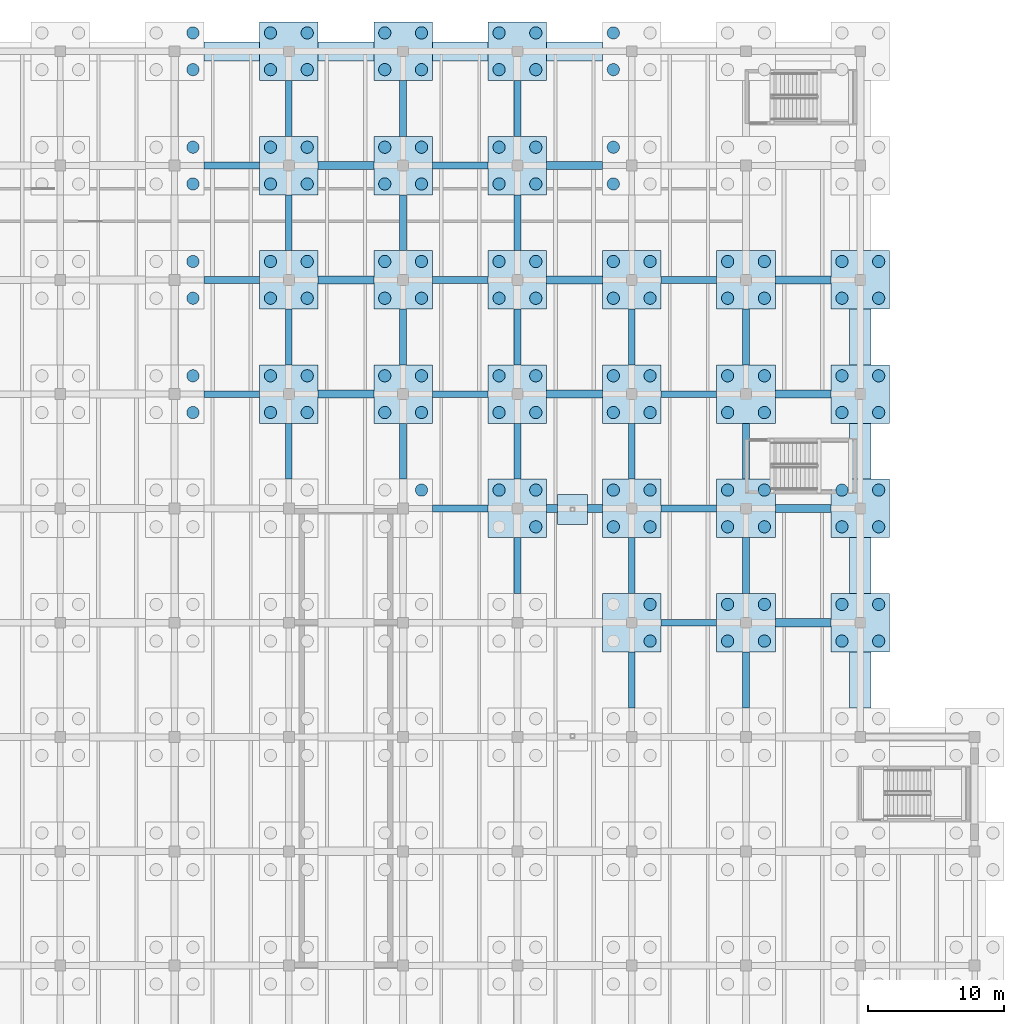
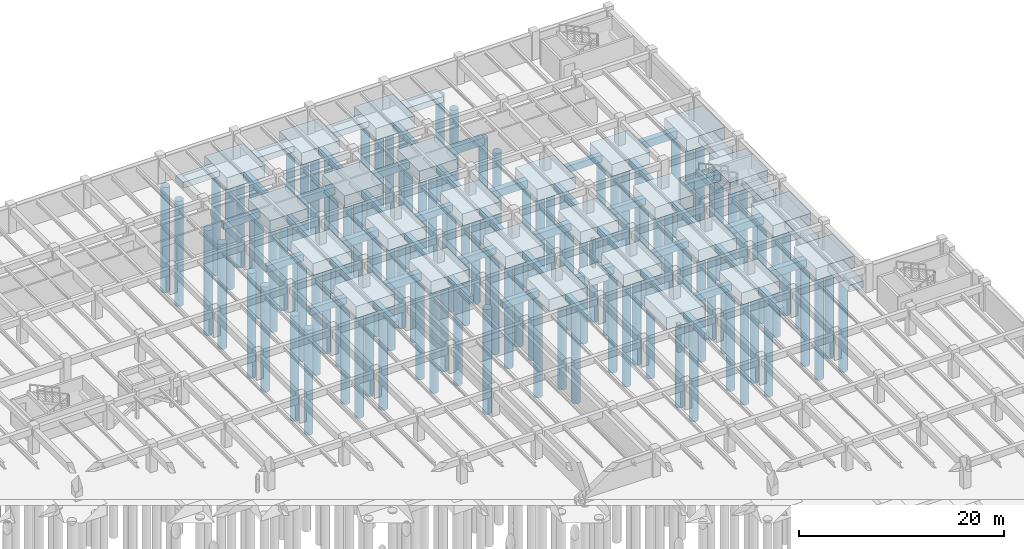
# One storey, part 12 of 70: 110 piles, 78 footings.
"""IFC4 building model written with IfcOpenShell, lengths in metres."""

from ifc_helpers import new_model, si_unit, direction, frame, origin, origin_2d, place, context, subcontext, project, spatial, rectangle, circle, extrude, material, material_profile, profile_set, type_object, element, save


model = new_model("IFC4")

# Units and contexts
model_context = context("Model", 3, precision=1e-05, world=origin(), true_north=direction((0.0, 1.0)))
body_context = subcontext(model_context, "Body", "Model", "MODEL_VIEW")
ifc_project = project(units=[si_unit("LENGTHUNIT", "METRE"), si_unit("AREAUNIT", "SQUARE_METRE"), si_unit("VOLUMEUNIT", "CUBIC_METRE"), si_unit("PLANEANGLEUNIT", "RADIAN"), si_unit("MASSUNIT", "GRAM", prefix="KILO")], contexts=[model_context])

# Site, building, storey
site_placement = place(None, origin())
site = spatial("IfcSite", under=ifc_project, at=site_placement, CompositionType="ELEMENT")
building_placement = place(site_placement, origin())
building = spatial("IfcBuilding", under=site, at=building_placement, Name="Cumbredor Promenade Congress Hotel", CompositionType="ELEMENT")
storey_placement = place(building_placement, frame((0.0, 0.0, -7.56005859375)))
storey = spatial("IfcBuildingStorey", under=building, at=storey_placement, Name="B02", CompositionType="ELEMENT", Elevation=-7.56005859375)

# Piles
ifc_material = material(Name="Concrete C40/50", Category="concrete")
ifc_material_profile_1 = material_profile(ifc_material, circle(Radius=0.449951171875, at=origin_2d()), Name="PILE D900")
ifc_profile_set_1 = profile_set([ifc_material_profile_1], Name="Concrete C40/50")
pile_type = type_object("IfcPileType", Name="Bored Concrete Pile BP-02 900mm", PredefinedType="BORED", material=ifc_profile_set_1)
for number, where, z_axis, x_axis, name in (
    (1, (127.35009765625, 91.050048828125, -1.75), (0.0, 0.0, -1.0), (1.0, 0.0, 0.0), "Bored Pile PC-02-208.2"),
    (2, (127.35009765625, 93.75, -1.75), (0.0, 0.0, -1.0), (1.0, 0.0, 0.0), "Bored Pile PC-02-208.4"),
    (3, (127.35009765625, 99.449951171875, -1.75), (0.0, 0.0, -1.0), (1.0, 0.0, 0.0), "Bored Pile PC-02-209.2"),
    (4, (127.35009765625, 102.14990234375, -1.75), (0.0, 0.0, -1.0), (1.0, 0.0, 0.0), "Bored Pile PC-02-209.4"),
    (5, (127.35009765625, 107.85009765625, -1.75), (0.0, 0.0, -1.0), (1.0, 0.0, 0.0), "Bored Pile PC-02-210.2"),
    (6, (127.35009765625, 110.550048828125, -1.75), (0.0, 0.0, -1.0), (1.0, 0.0, 0.0), "Bored Pile PC-02-210.4"),
    (7, (127.35009765625, 116.25, -1.75), (0.0, 0.0, -1.0), (1.0, 0.0, 0.0), "Bored Pile PC-02-211.2"),
    (8, (127.35009765625, 118.949951171875, -1.75), (0.0, 0.0, -1.0), (1.0, 0.0, 0.0), "Bored Pile PC-02-211.4"),
    (9, (133.050048828125, 91.050048828125, -1.75), (0.0, 0.0, -1.0), (1.0, 0.0, 0.0), "Bored Pile PC-02-222.1"),
    (10, (135.75, 91.050048828125, -1.75), (0.0, 0.0, -1.0), (1.0, 0.0, 0.0), "Bored Pile PC-02-222.2"),
    (11, (133.050048828125, 93.75, -1.75), (0.0, 0.0, -1.0), (1.0, 0.0, 0.0), "Bored Pile PC-02-222.3"),
    (12, (135.75, 93.75, -1.75), (0.0, 0.0, -1.0), (1.0, 0.0, 0.0), "Bored Pile PC-02-222.4"),
    (13, (133.050048828125, 99.449951171875, -1.75), (0.0, 0.0, -1.0), (1.0, 0.0, 0.0), "Bored Pile PC-02-223.1"),
    (14, (135.75, 99.449951171875, -1.75), (0.0, 0.0, -1.0), (1.0, 0.0, 0.0), "Bored Pile PC-02-223.2"),
    (15, (133.050048828125, 102.14990234375, -1.75), (0.0, 0.0, -1.0), (1.0, 0.0, 0.0), "Bored Pile PC-02-223.3"),
    (16, (135.75, 102.14990234375, -1.75), (0.0, 0.0, -1.0), (1.0, 0.0, 0.0), "Bored Pile PC-02-223.4"),
    (17, (133.050048828125, 107.85009765625, -1.75), (0.0, 0.0, -1.0), (1.0, 0.0, 0.0), "Bored Pile PC-02-224.1"),
    (18, (135.75, 107.85009765625, -1.75), (0.0, 0.0, -1.0), (1.0, 0.0, 0.0), "Bored Pile PC-02-224.2"),
    (19, (133.050048828125, 110.550048828125, -1.75), (0.0, 0.0, -1.0), (1.0, 0.0, 0.0), "Bored Pile PC-02-224.3"),
    (20, (135.75, 110.550048828125, -1.75), (0.0, 0.0, -1.0), (1.0, 0.0, 0.0), "Bored Pile PC-02-224.4"),
    (21, (133.050048828125, 116.25, -1.75), (0.0, 0.0, -1.0), (1.0, 0.0, 0.0), "Bored Pile PC-02-225.1"),
    (22, (135.75, 116.25, -1.75), (0.0, 0.0, -1.0), (1.0, 0.0, 0.0), "Bored Pile PC-02-225.2"),
    (23, (133.050048828125, 118.949951171875, -1.75), (0.0, 0.0, -1.0), (1.0, 0.0, 0.0), "Bored Pile PC-02-225.3"),
    (24, (135.75, 118.949951171875, -1.75), (0.0, 0.0, -1.0), (1.0, 0.0, 0.0), "Bored Pile PC-02-225.4"),
    (25, (144.14990234375, 85.35009765625, -1.75), (0.0, 0.0, -1.0), (1.0, 0.0, 0.0), "Bored Pile PC-02-235.4"),
    (26, (141.449951171875, 91.050048828125, -1.75), (0.0, 0.0, -1.0), (1.0, 0.0, 0.0), "Bored Pile PC-02-236.1"),
    (27, (144.14990234375, 91.050048828125, -1.75), (0.0, 0.0, -1.0), (1.0, 0.0, 0.0), "Bored Pile PC-02-236.2"),
    (28, (141.449951171875, 93.75, -1.75), (0.0, 0.0, -1.0), (1.0, 0.0, 0.0), "Bored Pile PC-02-236.3"),
    (29, (144.14990234375, 93.75, -1.75), (0.0, 0.0, -1.0), (1.0, 0.0, 0.0), "Bored Pile PC-02-236.4"),
    (30, (141.449951171875, 99.449951171875, -1.75), (0.0, 0.0, -1.0), (1.0, 0.0, 0.0), "Bored Pile PC-02-237.1"),
    (31, (144.14990234375, 99.449951171875, -1.75), (0.0, 0.0, -1.0), (1.0, 0.0, 0.0), "Bored Pile PC-02-237.2"),
    (32, (141.449951171875, 102.14990234375, -1.75), (0.0, 0.0, -1.0), (1.0, 0.0, 0.0), "Bored Pile PC-02-237.3"),
    (33, (144.14990234375, 102.14990234375, -1.75), (0.0, 0.0, -1.0), (1.0, 0.0, 0.0), "Bored Pile PC-02-237.4"),
    (34, (141.449951171875, 107.85009765625, -1.75), (0.0, 0.0, -1.0), (1.0, 0.0, 0.0), "Bored Pile PC-02-238.1"),
    (35, (144.14990234375, 107.85009765625, -1.75), (0.0, 0.0, -1.0), (1.0, 0.0, 0.0), "Bored Pile PC-02-238.2"),
    (36, (141.449951171875, 110.550048828125, -1.75), (0.0, 0.0, -1.0), (1.0, 0.0, 0.0), "Bored Pile PC-02-238.3"),
    (37, (144.14990234375, 110.550048828125, -1.75), (0.0, 0.0, -1.0), (1.0, 0.0, 0.0), "Bored Pile PC-02-238.4"),
    (38, (141.449951171875, 116.25, -1.75), (0.0, 0.0, -1.0), (1.0, 0.0, 0.0), "Bored Pile PC-02-239.1"),
    (39, (144.14990234375, 116.25, -1.75), (0.0, 0.0, -1.0), (1.0, 0.0, 0.0), "Bored Pile PC-02-239.2"),
    (40, (141.449951171875, 118.949951171875, -1.75), (0.0, 0.0, -1.0), (1.0, 0.0, 0.0), "Bored Pile PC-02-239.3"),
    (41, (144.14990234375, 118.949951171875, -1.75), (0.0, 0.0, -1.0), (1.0, 0.0, 0.0), "Bored Pile PC-02-239.4"),
    (42, (152.550048828125, 82.64990234375, -1.75), (0.0, 0.0, -1.0), (1.0, 0.0, 0.0), "Bored Pile PC-02-249.2"),
    (43, (149.85009765625, 85.35009765625, -1.75), (0.0, 0.0, -1.0), (1.0, 0.0, 0.0), "Bored Pile PC-02-249.3"),
    (44, (152.550048828125, 85.35009765625, -1.75), (0.0, 0.0, -1.0), (1.0, 0.0, 0.0), "Bored Pile PC-02-249.4"),
    (45, (149.85009765625, 91.050048828125, -1.75), (0.0, 0.0, -1.0), (1.0, 0.0, 0.0), "Bored Pile PC-02-250.1"),
    (46, (152.550048828125, 91.050048828125, -1.75), (0.0, 0.0, -1.0), (1.0, 0.0, 0.0), "Bored Pile PC-02-250.2"),
    (47, (149.85009765625, 93.75, -1.75), (0.0, 0.0, -1.0), (1.0, 0.0, 0.0), "Bored Pile PC-02-250.3"),
    (48, (152.550048828125, 93.75, -1.75), (0.0, 0.0, -1.0), (1.0, 0.0, 0.0), "Bored Pile PC-02-250.4"),
    (49, (149.85009765625, 99.449951171875, -1.75), (0.0, 0.0, -1.0), (1.0, 0.0, 0.0), "Bored Pile PC-02-251.1"),
    (50, (152.550048828125, 99.449951171875, -1.75), (0.0, 0.0, -1.0), (1.0, 0.0, 0.0), "Bored Pile PC-02-251.2"),
    (51, (149.85009765625, 102.14990234375, -1.75), (0.0, 0.0, -1.0), (1.0, 0.0, 0.0), "Bored Pile PC-02-251.3"),
    (52, (152.550048828125, 102.14990234375, -1.75), (0.0, 0.0, -1.0), (1.0, 0.0, 0.0), "Bored Pile PC-02-251.4"),
    (53, (149.85009765625, 107.85009765625, -1.75), (0.0, 0.0, -1.0), (1.0, 0.0, 0.0), "Bored Pile PC-02-252.1"),
    (54, (152.550048828125, 107.85009765625, -1.75), (0.0, 0.0, -1.0), (1.0, 0.0, 0.0), "Bored Pile PC-02-252.2"),
    (55, (149.85009765625, 110.550048828125, -1.75), (0.0, 0.0, -1.0), (1.0, 0.0, 0.0), "Bored Pile PC-02-252.3"),
    (56, (152.550048828125, 110.550048828125, -1.75), (0.0, 0.0, -1.0), (1.0, 0.0, 0.0), "Bored Pile PC-02-252.4"),
    (57, (149.85009765625, 116.25, -1.75), (0.0, 0.0, -1.0), (1.0, 0.0, 0.0), "Bored Pile PC-02-253.1"),
    (58, (152.550048828125, 116.25, -1.75), (0.0, 0.0, -1.0), (1.0, 0.0, 0.0), "Bored Pile PC-02-253.2"),
    (59, (149.85009765625, 118.949951171875, -1.75), (0.0, 0.0, -1.0), (1.0, 0.0, 0.0), "Bored Pile PC-02-253.3"),
    (60, (152.550048828125, 118.949951171875, -1.75), (0.0, 0.0, -1.0), (1.0, 0.0, 0.0), "Bored Pile PC-02-253.4"),
    (61, (160.949951171875, 74.25, -1.75), (0.0, 0.0, -1.0), (1.0, 0.0, 0.0), "Bored Pile PC-02-262.2"),
    (62, (160.949951171875, 76.949951171875, -1.75), (0.0, 0.0, -1.0), (1.0, 0.0, 0.0), "Bored Pile PC-02-262.4"),
    (63, (158.25, 82.64990234375, -1.75), (0.0, 0.0, -1.0), (1.0, 0.0, 0.0), "Bored Pile PC-02-263.1"),
    (64, (160.949951171875, 82.64990234375, -1.75), (0.0, 0.0, -1.0), (1.0, 0.0, 0.0), "Bored Pile PC-02-263.2"),
    (65, (158.25, 85.35009765625, -1.75), (0.0, 0.0, -1.0), (1.0, 0.0, 0.0), "Bored Pile PC-02-263.3"),
    (66, (160.949951171875, 85.35009765625, -1.75), (0.0, 0.0, -1.0), (1.0, 0.0, 0.0), "Bored Pile PC-02-263.4"),
    (67, (158.25, 91.050048828125, -1.75), (0.0, 0.0, -1.0), (1.0, 0.0, 0.0), "Bored Pile PC-02-264.1"),
    (68, (160.949951171875, 91.050048828125, -1.75), (0.0, 0.0, -1.0), (1.0, 0.0, 0.0), "Bored Pile PC-02-264.2"),
    (69, (158.25, 93.75, -1.75), (0.0, 0.0, -1.0), (1.0, 0.0, 0.0), "Bored Pile PC-02-264.3"),
    (70, (160.949951171875, 93.75, -1.75), (0.0, 0.0, -1.0), (1.0, 0.0, 0.0), "Bored Pile PC-02-264.4"),
    (71, (158.25, 99.449951171875, -1.75), (0.0, 0.0, -1.0), (1.0, 0.0, 0.0), "Bored Pile PC-02-265.1"),
    (72, (160.949951171875, 99.449951171875, -1.75), (0.0, 0.0, -1.0), (1.0, 0.0, 0.0), "Bored Pile PC-02-265.2"),
    (73, (158.25, 102.14990234375, -1.75), (0.0, 0.0, -1.0), (1.0, 0.0, 0.0), "Bored Pile PC-02-265.3"),
    (74, (160.949951171875, 102.14990234375, -1.75), (0.0, 0.0, -1.0), (1.0, 0.0, 0.0), "Bored Pile PC-02-265.4"),
    (75, (158.25, 107.85009765625, -1.75), (0.0, 0.0, -1.0), (1.0, 0.0, 0.0), "Bored Pile PC-02-266.1"),
    (76, (158.25, 110.550048828125, -1.75), (0.0, 0.0, -1.0), (1.0, 0.0, 0.0), "Bored Pile PC-02-266.3"),
    (77, (158.25, 116.25, -1.75), (0.0, 0.0, -1.0), (1.0, 0.0, 0.0), "Bored Pile PC-02-267.1"),
    (78, (158.25, 118.949951171875, -1.75), (0.0, 0.0, -1.0), (1.0, 0.0, 0.0), "Bored Pile PC-02-267.3"),
    (79, (166.64990234375, 74.25, -1.75), (0.0, 0.0, -1.0), (1.0, 0.0, 0.0), "Bored Pile PC-02-276.1"),
    (80, (169.35009765625, 74.25, -1.75), (0.0, 0.0, -1.0), (1.0, 0.0, 0.0), "Bored Pile PC-02-276.2"),
    (81, (166.64990234375, 76.949951171875, -1.75), (0.0, 0.0, -1.0), (1.0, 0.0, 0.0), "Bored Pile PC-02-276.3"),
    (82, (169.35009765625, 76.949951171875, -1.75), (0.0, 0.0, -1.0), (1.0, 0.0, 0.0), "Bored Pile PC-02-276.4"),
    (83, (166.64990234375, 82.64990234375, -1.75), (0.0, 0.0, -1.0), (1.0, 0.0, 0.0), "Bored Pile PC-02-277.1"),
    (84, (169.35009765625, 82.64990234375, -1.75), (0.0, 0.0, -1.0), (1.0, 0.0, 0.0), "Bored Pile PC-02-277.2"),
    (85, (166.64990234375, 85.35009765625, -1.75), (0.0, 0.0, -1.0), (1.0, 0.0, 0.0), "Bored Pile PC-02-277.3"),
    (86, (169.35009765625, 85.35009765625, -1.75), (0.0, 0.0, -1.0), (1.0, 0.0, 0.0), "Bored Pile PC-02-277.4"),
    (87, (166.64990234375, 91.050048828125, -1.75), (0.0, 0.0, -1.0), (1.0, 0.0, 0.0), "Bored Pile PC-02-278.1"),
    (88, (169.35009765625, 91.050048828125, -1.75), (0.0, 0.0, -1.0), (1.0, 0.0, 0.0), "Bored Pile PC-02-278.2"),
    (89, (166.64990234375, 93.75, -1.75), (0.0, 0.0, -1.0), (1.0, 0.0, 0.0), "Bored Pile PC-02-278.3"),
    (90, (169.35009765625, 93.75, -1.75), (0.0, 0.0, -1.0), (1.0, 0.0, 0.0), "Bored Pile PC-02-278.4"),
    (91, (166.64990234375, 99.449951171875, -1.75), (0.0, 0.0, -1.0), (1.0, 0.0, 0.0), "Bored Pile PC-02-279.1"),
    (92, (169.35009765625, 99.449951171875, -1.75), (0.0, 0.0, -1.0), (1.0, 0.0, 0.0), "Bored Pile PC-02-279.2"),
    (93, (166.64990234375, 102.14990234375, -1.75), (0.0, 0.0, -1.0), (1.0, 0.0, 0.0), "Bored Pile PC-02-279.3"),
    (94, (169.35009765625, 102.14990234375, -1.75), (0.0, 0.0, -1.0), (1.0, 0.0, 0.0), "Bored Pile PC-02-279.4"),
    (95, (175.050048828125, 74.25, -1.75), (0.0, 0.0, -1.0), (1.0, 0.0, 0.0), "Bored Pile PC-02-290.1"),
    (96, (177.75, 74.25, -1.75), (0.0, 0.0, -1.0), (1.0, 0.0, 0.0), "Bored Pile PC-02-290.2"),
    (97, (175.050048828125, 76.949951171875, -1.75), (0.0, 0.0, -1.0), (1.0, 0.0, 0.0), "Bored Pile PC-02-290.3"),
    (98, (177.75, 76.949951171875, -1.75), (0.0, 0.0, -1.0), (1.0, 0.0, 0.0), "Bored Pile PC-02-290.4"),
    (99, (175.050048828125, 82.64990234375, -1.75), (0.0, 0.0, -1.0), (1.0, 0.0, 0.0), "Bored Pile PC-02-291.1"),
    (100, (177.75, 82.64990234375, -1.75), (0.0, 0.0, -1.0), (1.0, 0.0, 0.0), "Bored Pile PC-02-291.2"),
    (101, (175.050048828125, 85.35009765625, -1.75), (0.0, 0.0, -1.0), (1.0, 0.0, 0.0), "Bored Pile PC-02-291.3"),
    (102, (177.75, 85.35009765625, -1.75), (0.0, 0.0, -1.0), (1.0, 0.0, 0.0), "Bored Pile PC-02-291.4"),
    (103, (175.050048828125, 91.050048828125, -1.75), (0.0, 0.0, -1.0), (1.0, 0.0, 0.0), "Bored Pile PC-02-292.1"),
    (104, (177.75, 91.050048828125, -1.75), (0.0, 0.0, -1.0), (1.0, 0.0, 0.0), "Bored Pile PC-02-292.2"),
    (105, (175.050048828125, 93.75, -1.75), (0.0, 0.0, -1.0), (1.0, 0.0, 0.0), "Bored Pile PC-02-292.3"),
    (106, (177.75, 93.75, -1.75), (0.0, 0.0, -1.0), (1.0, 0.0, 0.0), "Bored Pile PC-02-292.4"),
    (107, (175.050048828125, 99.449951171875, -1.75), (0.0, 0.0, -1.0), (1.0, 0.0, 0.0), "Bored Pile PC-02-293.1"),
    (108, (177.75, 99.449951171875, -1.75), (0.0, 0.0, -1.0), (1.0, 0.0, 0.0), "Bored Pile PC-02-293.2"),
    (109, (175.050048828125, 102.14990234375, -1.75), (0.0, 0.0, -1.0), (1.0, 0.0, 0.0), "Bored Pile PC-02-293.3"),
    (110, (177.75, 102.14990234375, -1.75), (0.0, 0.0, -1.0), (1.0, 0.0, 0.0), "Bored Pile PC-02-293.4"),
):
    element("IfcPile", number, at=place(storey_placement, frame(where, z_axis=z_axis, x_axis=x_axis)), inside=storey, type_object=pile_type, Name=name, PredefinedType="BORED", context=body_context, shape_type="SweptSolid", body=[
        extrude(circle(Radius=0.449951171875, at=origin_2d()), origin(), (0.0, 0.0, 1.0), 12.5),
    ])

# Footings
ifc_material_profile_2 = material_profile(ifc_material, rectangle(XDim=0.5, YDim=0.800048828125, at=origin_2d()), Name="FB 500x800")
ifc_profile_set_2 = profile_set([ifc_material_profile_2], Name="Concrete C40/50")
footing_type_1 = type_object("IfcFootingType", Name="Concrete Footing Tie Beam FB-01 500x800", PredefinedType="FOOTING_BEAM", material=ifc_profile_set_2)
for number, where, z_axis, x_axis, name in (
    (111, (128.152099609375, 92.39990234375, -0.89990234375), (1.0, 0.0, 0.0), (0.0, 1.0, 0.0), "Seismic Footing Tie Beam FB-391"),
    (112, (128.152099609375, 100.800048828125, -0.89990234375), (1.0, 0.0, 0.0), (0.0, 1.0, 0.0), "Seismic Footing Tie Beam FB-393"),
    (113, (128.152099609375, 109.199951171875, -0.89990234375), (1.0, 0.0, 0.0), (0.0, 1.0, 0.0), "Seismic Footing Tie Beam FB-395"),
    (114, (134.39990234375, 86.152099609375, -0.89990234375), (0.0, 1.0, 0.0), (-1.0, 0.0, 0.0), "Seismic Footing Tie Beam FB-417"),
    (115, (134.39990234375, 94.552001953125, -0.89990234375), (0.0, 1.0, 0.0), (-1.0, 0.0, 0.0), "Seismic Footing Tie Beam FB-419"),
):
    element("IfcFooting", number, at=place(storey_placement, frame(where, z_axis=z_axis, x_axis=x_axis)), inside=storey, type_object=footing_type_1, Name=name, PredefinedType="FOOTING_BEAM", context=body_context, shape_type="SweptSolid", body=[
        extrude(rectangle(XDim=0.5, YDim=0.800048828125, at=origin_2d()), origin(), (0.0, 0.0, 1.0), 4.095947265625),
    ])
footing_1_placement = place(storey_placement, frame((134.39990234375, 102.951904296875, -0.89990234375), z_axis=(0.0, 1.0, 0.0), x_axis=(-1.0, 0.0, 0.0)))
element("IfcFooting", 116, at=footing_1_placement, inside=storey, type_object=footing_type_1, Name="Seismic Footing Tie Beam FB-421", PredefinedType="FOOTING_BEAM", context=body_context, shape_type="SweptSolid", body=[
    extrude(rectangle(XDim=0.5, YDim=0.800048828125, at=origin_2d()), origin(), (0.0, 0.0, 1.0), 4.09619140625),
])
footing_2_placement = place(storey_placement, frame((134.39990234375, 111.35205078125, -0.89990234375), z_axis=(0.0, 1.0, 0.0), x_axis=(-1.0, 0.0, 0.0)))
element("IfcFooting", 117, at=footing_2_placement, inside=storey, type_object=footing_type_1, Name="Seismic Footing Tie Beam FB-423", PredefinedType="FOOTING_BEAM", context=body_context, shape_type="SweptSolid", body=[
    extrude(rectangle(XDim=0.5, YDim=0.800048828125, at=origin_2d()), origin(), (0.0, 0.0, 1.0), 4.095947265625),
])
footing_3_placement = place(storey_placement, frame((144.951904296875, 84.0, -0.89990234375), z_axis=(1.0, 0.0, 0.0), x_axis=(0.0, 1.0, 0.0)))
element("IfcFooting", 118, at=footing_3_placement, inside=storey, type_object=footing_type_1, Name="Seismic Footing Tie Beam FB-443", PredefinedType="FOOTING_BEAM", context=body_context, shape_type="SweptSolid", body=[
    extrude(rectangle(XDim=0.5, YDim=0.800048828125, at=origin_2d()), origin(), (0.0, 0.0, 1.0), 4.09619140625),
])
footing_4_placement = place(storey_placement, frame((142.800048828125, 86.152099609375, -0.89990234375), z_axis=(0.0, 1.0, 0.0), x_axis=(-1.0, 0.0, 0.0)))
element("IfcFooting", 119, at=footing_4_placement, inside=storey, type_object=footing_type_1, Name="Seismic Footing Tie Beam FB-444", PredefinedType="FOOTING_BEAM", context=body_context, shape_type="SweptSolid", body=[
    extrude(rectangle(XDim=0.5, YDim=0.800048828125, at=origin_2d()), origin(), (0.0, 0.0, 1.0), 4.095947265625),
])
footing_5_placement = place(storey_placement, frame((144.951904296875, 92.39990234375, -0.89990234375), z_axis=(1.0, 0.0, 0.0), x_axis=(0.0, 1.0, 0.0)))
element("IfcFooting", 120, at=footing_5_placement, inside=storey, type_object=footing_type_1, Name="Seismic Footing Tie Beam FB-445", PredefinedType="FOOTING_BEAM", context=body_context, shape_type="SweptSolid", body=[
    extrude(rectangle(XDim=0.5, YDim=0.800048828125, at=origin_2d()), origin(), (0.0, 0.0, 1.0), 4.09619140625),
])
footing_6_placement = place(storey_placement, frame((142.800048828125, 94.552001953125, -0.89990234375), z_axis=(0.0, 1.0, 0.0), x_axis=(-1.0, 0.0, 0.0)))
element("IfcFooting", 121, at=footing_6_placement, inside=storey, type_object=footing_type_1, Name="Seismic Footing Tie Beam FB-446", PredefinedType="FOOTING_BEAM", context=body_context, shape_type="SweptSolid", body=[
    extrude(rectangle(XDim=0.5, YDim=0.800048828125, at=origin_2d()), origin(), (0.0, 0.0, 1.0), 4.095947265625),
])
for number, where, z_axis, x_axis, name in (
    (122, (144.951904296875, 100.800048828125, -0.89990234375), (1.0, 0.0, 0.0), (0.0, 1.0, 0.0), "Seismic Footing Tie Beam FB-447"),
    (123, (142.800048828125, 102.951904296875, -0.89990234375), (0.0, 1.0, 0.0), (-1.0, 0.0, 0.0), "Seismic Footing Tie Beam FB-448"),
    (124, (144.951904296875, 109.199951171875, -0.89990234375), (1.0, 0.0, 0.0), (0.0, 1.0, 0.0), "Seismic Footing Tie Beam FB-449"),
):
    element("IfcFooting", number, at=place(storey_placement, frame(where, z_axis=z_axis, x_axis=x_axis)), inside=storey, type_object=footing_type_1, Name=name, PredefinedType="FOOTING_BEAM", context=body_context, shape_type="SweptSolid", body=[
        extrude(rectangle(XDim=0.5, YDim=0.800048828125, at=origin_2d()), origin(), (0.0, 0.0, 1.0), 4.09619140625),
    ])
for number, where, z_axis, x_axis, name in (
    (125, (142.800048828125, 111.35205078125, -0.89990234375), (0.0, 1.0, 0.0), (-1.0, 0.0, 0.0), "Seismic Footing Tie Beam FB-450"),
    (126, (151.199951171875, 77.751953125, -0.89990234375), (0.0, 1.0, 0.0), (-1.0, 0.0, 0.0), "Seismic Footing Tie Beam FB-469"),
    (127, (151.199951171875, 86.152099609375, -0.89990234375), (0.0, 1.0, 0.0), (-1.0, 0.0, 0.0), "Seismic Footing Tie Beam FB-471"),
    (128, (151.199951171875, 94.552001953125, -0.89990234375), (0.0, 1.0, 0.0), (-1.0, 0.0, 0.0), "Seismic Footing Tie Beam FB-473"),
):
    element("IfcFooting", number, at=place(storey_placement, frame(where, z_axis=z_axis, x_axis=x_axis)), inside=storey, type_object=footing_type_1, Name=name, PredefinedType="FOOTING_BEAM", context=body_context, shape_type="SweptSolid", body=[
        extrude(rectangle(XDim=0.5, YDim=0.800048828125, at=origin_2d()), origin(), (0.0, 0.0, 1.0), 4.095947265625),
    ])
footing_7_placement = place(storey_placement, frame((151.199951171875, 102.951904296875, -0.89990234375), z_axis=(0.0, 1.0, 0.0), x_axis=(-1.0, 0.0, 0.0)))
element("IfcFooting", 129, at=footing_7_placement, inside=storey, type_object=footing_type_1, Name="Seismic Footing Tie Beam FB-475", PredefinedType="FOOTING_BEAM", context=body_context, shape_type="SweptSolid", body=[
    extrude(rectangle(XDim=0.5, YDim=0.800048828125, at=origin_2d()), origin(), (0.0, 0.0, 1.0), 4.09619140625),
])
for number, where, z_axis, x_axis, name in (
    (130, (151.199951171875, 111.35205078125, -0.89990234375), (0.0, 1.0, 0.0), (-1.0, 0.0, 0.0), "Seismic Footing Tie Beam FB-477"),
    (131, (159.60009765625, 69.35205078125, -0.89990234375), (0.0, 1.0, 0.0), (-1.0, 0.0, 0.0), "Seismic Footing Tie Beam FB-494"),
    (132, (161.751953125, 75.60009765625, -0.89990234375), (1.0, 0.0, 0.0), (0.0, 1.0, 0.0), "Seismic Footing Tie Beam FB-495"),
    (133, (159.60009765625, 77.751953125, -0.89990234375), (0.0, 1.0, 0.0), (-1.0, 0.0, 0.0), "Seismic Footing Tie Beam FB-496"),
    (134, (161.751953125, 84.0, -0.89990234375), (1.0, 0.0, 0.0), (0.0, 1.0, 0.0), "Seismic Footing Tie Beam FB-497"),
    (135, (159.60009765625, 86.152099609375, -0.89990234375), (0.0, 1.0, 0.0), (-1.0, 0.0, 0.0), "Seismic Footing Tie Beam FB-498"),
    (136, (161.751953125, 92.39990234375, -0.89990234375), (1.0, 0.0, 0.0), (0.0, 1.0, 0.0), "Seismic Footing Tie Beam FB-499"),
    (137, (159.60009765625, 94.552001953125, -0.89990234375), (0.0, 1.0, 0.0), (-1.0, 0.0, 0.0), "Seismic Footing Tie Beam FB-500"),
    (138, (161.751953125, 100.800048828125, -0.89990234375), (1.0, 0.0, 0.0), (0.0, 1.0, 0.0), "Seismic Footing Tie Beam FB-501"),
    (139, (168.0, 69.35205078125, -0.89990234375), (0.0, 1.0, 0.0), (-1.0, 0.0, 0.0), "Seismic Footing Tie Beam FB-521"),
    (140, (168.0, 77.751953125, -0.89990234375), (0.0, 1.0, 0.0), (-1.0, 0.0, 0.0), "Seismic Footing Tie Beam FB-523"),
    (141, (168.0, 86.152099609375, -0.89990234375), (0.0, 1.0, 0.0), (-1.0, 0.0, 0.0), "Seismic Footing Tie Beam FB-525"),
    (142, (168.0, 94.552001953125, -0.89990234375), (0.0, 1.0, 0.0), (-1.0, 0.0, 0.0), "Seismic Footing Tie Beam FB-527"),
):
    element("IfcFooting", number, at=place(storey_placement, frame(where, z_axis=z_axis, x_axis=x_axis)), inside=storey, type_object=footing_type_1, Name=name, PredefinedType="FOOTING_BEAM", context=body_context, shape_type="SweptSolid", body=[
        extrude(rectangle(XDim=0.5, YDim=0.800048828125, at=origin_2d()), origin(), (0.0, 0.0, 1.0), 4.095947265625),
    ])
ifc_material_profile_3 = material_profile(ifc_material, rectangle(XDim=0.60009765625, YDim=0.89990234375, at=origin_2d()), Name="FB 600x900")
ifc_profile_set_3 = profile_set([ifc_material_profile_3], Name="Concrete C40/50")
footing_type_2 = type_object("IfcFootingType", Name="Concrete Footing Tie Beam FB-02 600x900", PredefinedType="FOOTING_BEAM", material=ifc_profile_set_3)
for number, where, z_axis, x_axis, name in (
    (143, (136.552001953125, 92.39990234375, -0.949951171875), (1.0, 0.0, 0.0), (0.0, 1.0, 0.0), "Seismic Footing Tie Beam FB-418"),
    (144, (136.552001953125, 100.800048828125, -0.949951171875), (1.0, 0.0, 0.0), (0.0, 1.0, 0.0), "Seismic Footing Tie Beam FB-420"),
    (145, (136.552001953125, 109.199951171875, -0.949951171875), (1.0, 0.0, 0.0), (0.0, 1.0, 0.0), "Seismic Footing Tie Beam FB-422"),
):
    element("IfcFooting", number, at=place(storey_placement, frame(where, z_axis=z_axis, x_axis=x_axis)), inside=storey, type_object=footing_type_2, Name=name, PredefinedType="FOOTING_BEAM", context=body_context, shape_type="SweptSolid", body=[
        extrude(rectangle(XDim=0.60009765625, YDim=0.89990234375, at=origin_2d()), origin(), (0.0, 0.0, 1.0), 4.095947265625),
    ])
footing_8_placement = place(storey_placement, frame((153.35205078125, 84.0, -0.949951171875), z_axis=(1.0, 0.0, 0.0), x_axis=(0.0, 1.0, 0.0)))
element("IfcFooting", 146, at=footing_8_placement, inside=storey, type_object=footing_type_2, Name="Seismic Footing Tie Beam FB-470 Seg 01", PredefinedType="FOOTING_BEAM", context=body_context, shape_type="SweptSolid", body=[
    extrude(rectangle(XDim=0.60009765625, YDim=0.89990234375, at=origin_2d()), origin(), (0.0, 0.0, 1.0), 0.7958984375),
])
footing_9_placement = place(storey_placement, frame((156.35205078125, 84.0, -0.949951171875), z_axis=(1.0, 0.0, 0.0), x_axis=(0.0, 1.0, 0.0)))
element("IfcFooting", 147, at=footing_9_placement, inside=storey, type_object=footing_type_2, Name="Seismic Footing Tie Beam FB-470 Seg 02", PredefinedType="FOOTING_BEAM", context=body_context, shape_type="SweptSolid", body=[
    extrude(rectangle(XDim=0.60009765625, YDim=0.89990234375, at=origin_2d()), origin(), (0.0, 0.0, 1.0), 1.095947265625),
])
for number, where, z_axis, x_axis, name in (
    (148, (153.35205078125, 92.39990234375, -0.949951171875), (1.0, 0.0, 0.0), (0.0, 1.0, 0.0), "Seismic Footing Tie Beam FB-472"),
    (149, (153.35205078125, 100.800048828125, -0.949951171875), (1.0, 0.0, 0.0), (0.0, 1.0, 0.0), "Seismic Footing Tie Beam FB-474"),
    (150, (153.35205078125, 109.199951171875, -0.949951171875), (1.0, 0.0, 0.0), (0.0, 1.0, 0.0), "Seismic Footing Tie Beam FB-476"),
    (151, (170.152099609375, 75.60009765625, -0.949951171875), (1.0, 0.0, 0.0), (0.0, 1.0, 0.0), "Seismic Footing Tie Beam FB-522"),
    (152, (170.152099609375, 84.0, -0.949951171875), (1.0, 0.0, 0.0), (0.0, 1.0, 0.0), "Seismic Footing Tie Beam FB-524"),
    (153, (170.152099609375, 92.39990234375, -0.949951171875), (1.0, 0.0, 0.0), (0.0, 1.0, 0.0), "Seismic Footing Tie Beam FB-526"),
    (154, (170.152099609375, 100.800048828125, -0.949951171875), (1.0, 0.0, 0.0), (0.0, 1.0, 0.0), "Seismic Footing Tie Beam FB-528"),
):
    element("IfcFooting", number, at=place(storey_placement, frame(where, z_axis=z_axis, x_axis=x_axis)), inside=storey, type_object=footing_type_2, Name=name, PredefinedType="FOOTING_BEAM", context=body_context, shape_type="SweptSolid", body=[
        extrude(rectangle(XDim=0.60009765625, YDim=0.89990234375, at=origin_2d()), origin(), (0.0, 0.0, 1.0), 4.095947265625),
    ])
footing_type_3 = type_object("IfcFootingType", Name="Concrete Pad Footing PF-01 2200x2200x800", PredefinedType="PAD_FOOTING", material=ifc_material)
footing_10_placement = place(storey_placement, frame((155.25, 83.919921875, -1.2998046875), z_axis=(0.0, 0.0, 1.0), x_axis=(1.0, 0.0, 0.0)))
element("IfcFooting", 155, at=footing_10_placement, inside=storey, type_object=footing_type_3, Name="East Ballroom-to-Forum Glazed Bridge Corbel Pier Footing 4", PredefinedType="PAD_FOOTING", context=body_context, shape_type="SweptSolid", body=[
    extrude(rectangle(XDim=2.199951171875, YDim=2.199951171875, at=origin_2d()), origin(), (0.0, 0.0, 1.0), 0.800048828125),
])
footing_type_4 = type_object("IfcFootingType", Name="Concrete Pile Cap PC-02 4300x4300x1400", PredefinedType="PILE_CAP", material=ifc_material)
for number, where, z_axis, x_axis, name in (
    (156, (134.39990234375, 92.39990234375, -1.89990234375), (0.0, 0.0, 1.0), (1.0, 0.0, 0.0), "Pile Cap PC-02 222"),
    (157, (134.39990234375, 100.800048828125, -1.89990234375), (0.0, 0.0, 1.0), (1.0, 0.0, 0.0), "Pile Cap PC-02 223"),
    (158, (134.39990234375, 109.199951171875, -1.89990234375), (0.0, 0.0, 1.0), (1.0, 0.0, 0.0), "Pile Cap PC-02 224"),
    (159, (134.39990234375, 117.60009765625, -1.89990234375), (0.0, 0.0, 1.0), (1.0, 0.0, 0.0), "Pile Cap PC-02 225"),
    (160, (142.800048828125, 92.39990234375, -1.89990234375), (0.0, 0.0, 1.0), (1.0, 0.0, 0.0), "Pile Cap PC-02 236"),
    (161, (142.800048828125, 100.800048828125, -1.89990234375), (0.0, 0.0, 1.0), (1.0, 0.0, 0.0), "Pile Cap PC-02 237"),
    (162, (142.800048828125, 109.199951171875, -1.89990234375), (0.0, 0.0, 1.0), (1.0, 0.0, 0.0), "Pile Cap PC-02 238"),
    (163, (142.800048828125, 117.60009765625, -1.89990234375), (0.0, 0.0, 1.0), (1.0, 0.0, 0.0), "Pile Cap PC-02 239"),
    (164, (151.199951171875, 84.0, -1.89990234375), (0.0, 0.0, 1.0), (1.0, 0.0, 0.0), "Pile Cap PC-02 249"),
    (165, (151.199951171875, 92.39990234375, -1.89990234375), (0.0, 0.0, 1.0), (1.0, 0.0, 0.0), "Pile Cap PC-02 250"),
    (166, (151.199951171875, 100.800048828125, -1.89990234375), (0.0, 0.0, 1.0), (1.0, 0.0, 0.0), "Pile Cap PC-02 251"),
    (167, (151.199951171875, 109.199951171875, -1.89990234375), (0.0, 0.0, 1.0), (1.0, 0.0, 0.0), "Pile Cap PC-02 252"),
    (168, (151.199951171875, 117.60009765625, -1.89990234375), (0.0, 0.0, 1.0), (1.0, 0.0, 0.0), "Pile Cap PC-02 253"),
    (169, (159.60009765625, 75.60009765625, -1.89990234375), (0.0, 0.0, 1.0), (1.0, 0.0, 0.0), "Pile Cap PC-02 262"),
    (170, (159.60009765625, 84.0, -1.89990234375), (0.0, 0.0, 1.0), (1.0, 0.0, 0.0), "Pile Cap PC-02 263"),
    (171, (159.60009765625, 92.39990234375, -1.89990234375), (0.0, 0.0, 1.0), (1.0, 0.0, 0.0), "Pile Cap PC-02 264"),
    (172, (159.60009765625, 100.800048828125, -1.89990234375), (0.0, 0.0, 1.0), (1.0, 0.0, 0.0), "Pile Cap PC-02 265"),
    (173, (168.0, 75.60009765625, -1.89990234375), (0.0, 0.0, 1.0), (1.0, 0.0, 0.0), "Pile Cap PC-02 276"),
    (174, (168.0, 84.0, -1.89990234375), (0.0, 0.0, 1.0), (1.0, 0.0, 0.0), "Pile Cap PC-02 277"),
    (175, (168.0, 92.39990234375, -1.89990234375), (0.0, 0.0, 1.0), (1.0, 0.0, 0.0), "Pile Cap PC-02 278"),
    (176, (168.0, 100.800048828125, -1.89990234375), (0.0, 0.0, 1.0), (1.0, 0.0, 0.0), "Pile Cap PC-02 279"),
    (177, (176.39990234375, 75.60009765625, -1.89990234375), (0.0, 0.0, 1.0), (1.0, 0.0, 0.0), "Pile Cap PC-02 290"),
    (178, (176.39990234375, 84.0, -1.89990234375), (0.0, 0.0, 1.0), (1.0, 0.0, 0.0), "Pile Cap PC-02 291"),
    (179, (176.39990234375, 92.39990234375, -1.89990234375), (0.0, 0.0, 1.0), (1.0, 0.0, 0.0), "Pile Cap PC-02 292"),
    (180, (176.39990234375, 100.800048828125, -1.89990234375), (0.0, 0.0, 1.0), (1.0, 0.0, 0.0), "Pile Cap PC-02 293"),
):
    element("IfcFooting", number, at=place(storey_placement, frame(where, z_axis=z_axis, x_axis=x_axis)), inside=storey, type_object=footing_type_4, Name=name, PredefinedType="PILE_CAP", context=body_context, shape_type="SweptSolid", body=[
        extrude(rectangle(XDim=4.300048828125, YDim=4.300048828125, at=origin_2d()), origin(), (0.0, 0.0, 1.0), 1.39990234375),
    ])
ifc_material_profile_4 = material_profile(ifc_material, rectangle(XDim=1.39990234375, YDim=0.699951171875, at=origin_2d()), Name="SF 1400x700")
ifc_profile_set_4 = profile_set([ifc_material_profile_4], Name="Concrete C40/50")
footing_type_5 = type_object("IfcFootingType", Name="Concrete Strip Footing SF-01 1400x700", PredefinedType="STRIP_FOOTING", material=ifc_profile_set_4)
for number, where, z_axis, x_axis, name in (
    (181, (128.152099609375, 117.60009765625, -0.849853515625), (1.0, 0.0, 0.0), (0.0, 1.0, 0.0), "Perimeter Strip Footing SF-05 Seg 16"),
    (182, (136.552001953125, 117.60009765625, -0.849853515625), (1.0, 0.0, 0.0), (0.0, 1.0, 0.0), "Perimeter Strip Footing SF-05 Seg 17"),
):
    element("IfcFooting", number, at=place(storey_placement, frame(where, z_axis=z_axis, x_axis=x_axis)), inside=storey, type_object=footing_type_5, Name=name, PredefinedType="STRIP_FOOTING", context=body_context, shape_type="SweptSolid", body=[
        extrude(rectangle(XDim=1.39990234375, YDim=0.699951171875, at=origin_2d()), origin(), (0.0, 0.0, 1.0), 4.095947265625),
    ])
footing_11_placement = place(storey_placement, frame((144.951904296875, 117.60009765625, -0.849853515625), z_axis=(1.0, 0.0, 0.0), x_axis=(0.0, 1.0, 0.0)))
element("IfcFooting", 183, at=footing_11_placement, inside=storey, type_object=footing_type_5, Name="Perimeter Strip Footing SF-05 Seg 18", PredefinedType="STRIP_FOOTING", context=body_context, shape_type="SweptSolid", body=[
    extrude(rectangle(XDim=1.39990234375, YDim=0.699951171875, at=origin_2d()), origin(), (0.0, 0.0, 1.0), 4.09619140625),
])
footing_12_placement = place(storey_placement, frame((153.35205078125, 117.60009765625, -0.849853515625), z_axis=(1.0, 0.0, 0.0), x_axis=(0.0, 1.0, 0.0)))
element("IfcFooting", 184, at=footing_12_placement, inside=storey, type_object=footing_type_5, Name="Perimeter Strip Footing SF-05 Seg 19", PredefinedType="STRIP_FOOTING", context=body_context, shape_type="SweptSolid", body=[
    extrude(rectangle(XDim=1.39990234375, YDim=0.699951171875, at=origin_2d()), origin(), (0.0, 0.0, 1.0), 4.095947265625),
])
ifc_material_profile_5 = material_profile(ifc_material, rectangle(XDim=1.60009765625, YDim=0.800048828125, at=origin_2d()), Name="SF 1600x800")
ifc_profile_set_5 = profile_set([ifc_material_profile_5], Name="Concrete C40/50")
footing_type_6 = type_object("IfcFootingType", Name="Concrete Strip Footing SF-02 1600x800", PredefinedType="STRIP_FOOTING", material=ifc_profile_set_5)
for number, where, z_axis, x_axis, name in (
    (185, (176.39990234375, 69.35205078125, -0.89990234375), (0.0, 1.0, 0.0), (-1.0, 0.0, 0.0), "Perimeter Strip Footing SF-04 Seg 01"),
    (186, (176.39990234375, 77.751953125, -0.89990234375), (0.0, 1.0, 0.0), (-1.0, 0.0, 0.0), "Perimeter Strip Footing SF-04 Seg 02"),
    (187, (176.39990234375, 86.152099609375, -0.89990234375), (0.0, 1.0, 0.0), (-1.0, 0.0, 0.0), "Perimeter Strip Footing SF-04 Seg 03"),
    (188, (176.39990234375, 94.552001953125, -0.89990234375), (0.0, 1.0, 0.0), (-1.0, 0.0, 0.0), "Perimeter Strip Footing SF-04 Seg 04"),
):
    element("IfcFooting", number, at=place(storey_placement, frame(where, z_axis=z_axis, x_axis=x_axis)), inside=storey, type_object=footing_type_6, Name=name, PredefinedType="STRIP_FOOTING", context=body_context, shape_type="SweptSolid", body=[
        extrude(rectangle(XDim=1.60009765625, YDim=0.800048828125, at=origin_2d()), origin(), (0.0, 0.0, 1.0), 4.095947265625),
    ])

save(model, "model.ifc")
